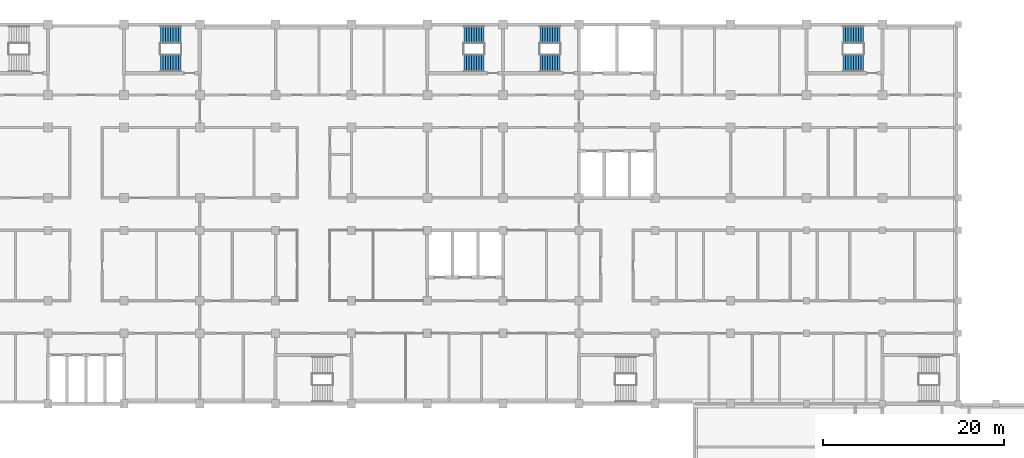
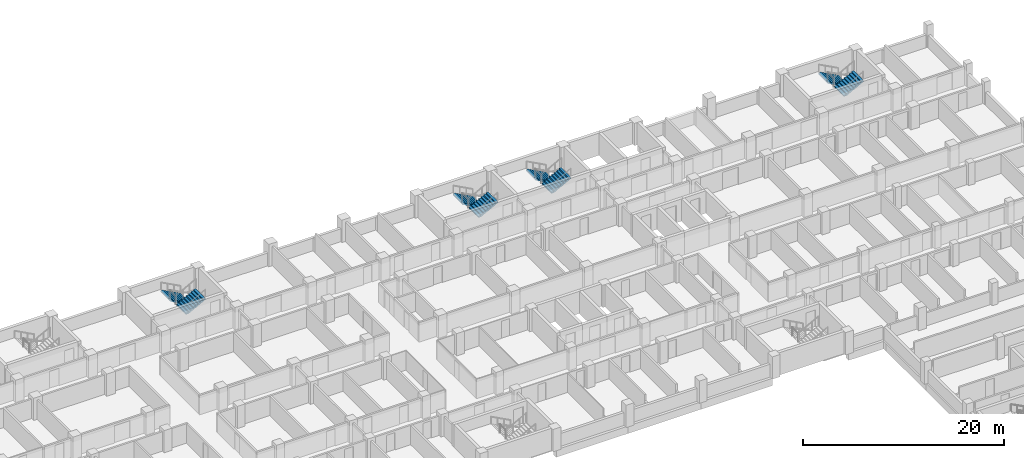
# One storey, part 67 of 89: 8 stair flights, 4 elements without a shape of their own.
"""IFC4 building model written with IfcOpenShell, lengths in metres."""

from ifc_helpers import new_model, si_unit, direction, frame, origin, place, context, subcontext, project, spatial, polyline, outline, extrude, material, type_object, element, aggregate, save


model = new_model("IFC4")

# Units and contexts
model_context = context("Model", 3, precision=1e-05, world=origin(), true_north=direction((0.0, 1.0)))
body_context = subcontext(model_context, "Body", "Model", "MODEL_VIEW")
ifc_project = project(units=[si_unit("LENGTHUNIT", "METRE"), si_unit("AREAUNIT", "SQUARE_METRE"), si_unit("VOLUMEUNIT", "CUBIC_METRE"), si_unit("PLANEANGLEUNIT", "RADIAN"), si_unit("MASSUNIT", "GRAM", prefix="KILO")], contexts=[model_context])

# Site, building, storey
site_placement = place(None, origin())
site = spatial("IfcSite", under=ifc_project, at=site_placement, CompositionType="ELEMENT")
building_placement = place(site_placement, origin())
building = spatial("IfcBuilding", under=site, at=building_placement, Name="Bougainvillea Quay General Hospital", CompositionType="ELEMENT")
storey_placement = place(building_placement, frame((0.0, 0.0, 9.89990234375)))
storey = spatial("IfcBuildingStorey", under=building, at=storey_placement, Name="L01M", CompositionType="ELEMENT", Elevation=9.89990234375)

# Stair, stair flights
ifc_material = material(Name="Concrete C35", Category="concrete")
stair_type = type_object("IfcStairType", Name="Stair half-turn 1925 wide", PredefinedType="HALF_TURN_STAIR", material=ifc_material)
stair_1_placement = place(storey_placement, origin())
stair_1 = element("IfcStair", 1, at=stair_1_placement, inside=storey, type_object=stair_type, Name="L01M stair ST-D3", PredefinedType="HALF_TURN_STAIR")
stair_flight_type = type_object("IfcStairFlightType", Name="Stair flight 1925", PredefinedType="STRAIGHT", material=ifc_material)
stair_flight_1_placement = place(storey_placement, frame((149.10009765625, 158.46240234375, 0.0), z_axis=(0.0, 0.0, 1.0), x_axis=(-1.0, 0.0, 0.0)))
stair_flight_1 = element("IfcStairFlight", 2, at=stair_flight_1_placement, type_object=stair_flight_type, Name="ST-D3 flight 1", NumberOfRisers=9, NumberOfTreads=8, PredefinedType="STRAIGHT", RiserHeight=0.15, TreadLength=0.28, context=body_context, shape_type="SweptSolid", body=[
    extrude(outline(polyline([(-0.0029296875, 0.0), (-0.0029296875, 0.003662109375), (-0.0029296875, 0.00732421875), (-0.0029296875, 0.010986328125), (-0.0029296875, 0.0146484375), (-0.0029296875, 0.018310546875), (-0.0029296875, 0.02197265625), (-0.0029296875, 0.025634765625), (-0.0029296875, 0.029296875), (-0.0029296875, 0.032958984375), (-0.0029296875, 0.03662109375), (-0.0029296875, 0.040283203125), (-0.0029296875, 0.0439453125), (-0.0029296875, 0.047607421875), (-0.0029296875, 0.05126953125), (-0.0029296875, 0.054931640625), (-0.0029296875, 0.05859375), (-0.0029296875, 0.062255859375), (-0.0029296875, 0.06591796875), (-0.0029296875, 0.069580078125), (-0.0029296875, 0.0732421875), (-0.0029296875, 0.076904296875), (-0.0029296875, 0.08056640625), (-0.0029296875, 0.084228515625), (-0.0029296875, 0.087890625), (-0.0029296875, 0.091552734375), (-0.0029296875, 0.09521484375), (-0.0029296875, 0.098876953125), (-0.0029296875, 0.1025390625), (-0.0029296875, 0.106201171875), (-0.0029296875, 0.10986328125), (-0.0029296875, 0.113525390625), (-0.0029296875, 0.1171875), (-0.0029296875, 0.120849609375), (-0.0029296875, 0.12451171875), (-0.0029296875, 0.1279296875), (-0.0029296875, 0.131591796875), (-0.0029296875, 0.13525390625), (-0.0029296875, 0.138916015625), (-0.0029296875, 0.142578125), (-0.0029296875, 0.146240234375), (-0.0029296875, 0.14990234375), (0.280029296875, 0.14990234375), (0.280029296875, 0.300048828125), (0.56005859375, 0.300048828125), (0.56005859375, 0.449951171875), (0.840087890625, 0.449951171875), (0.840087890625, 0.60009765625), (1.1201171875, 0.60009765625), (1.1201171875, 0.75), (1.39990234375, 0.75), (1.39990234375, 0.89990234375), (1.679931640625, 0.89990234375), (1.679931640625, 1.050048828125), (1.9599609375, 1.050048828125), (1.9599609375, 1.199951171875), (2.242919921875, 1.199951171875), (2.242919921875, 1.19580078125), (2.242919921875, 1.191650390625), (2.242919921875, 1.1875), (2.242919921875, 1.183349609375), (2.242919921875, 1.17919921875), (2.242919921875, 1.175048828125), (2.242919921875, 1.1708984375), (2.242919921875, 1.166748046875), (2.242919921875, 1.16259765625), (2.242919921875, 1.158447265625), (2.242919921875, 1.154296875), (2.242919921875, 1.150146484375), (2.242919921875, 1.14599609375), (2.242919921875, 1.141845703125), (2.242919921875, 1.1376953125), (2.242919921875, 1.133544921875), (2.242919921875, 1.12939453125), (2.242919921875, 1.125244140625), (2.242919921875, 1.12109375), (2.242919921875, 1.116943359375), (2.242919921875, 1.11279296875), (2.242919921875, 1.108642578125), (2.242919921875, 1.1044921875), (2.242919921875, 1.100341796875), (2.242919921875, 1.09619140625), (2.242919921875, 1.092041015625), (2.242919921875, 1.087890625), (2.242919921875, 1.083984375), (2.242919921875, 1.079833984375), (2.242919921875, 1.07568359375), (2.242919921875, 1.071533203125), (2.242919921875, 1.0673828125), (2.242919921875, 1.063232421875), (2.242919921875, 1.05908203125), (2.242919921875, 1.054931640625), (2.242919921875, 1.05078125), (2.242919921875, 1.046630859375), (2.242919921875, 1.04248046875), (2.242919921875, 1.038330078125), (2.242919921875, 1.0341796875), (2.242919921875, 1.030029296875), (0.3173828125, 0.0), (-0.0029296875, 0.0)])), frame((0.0, 0.96240234375, 0.0), z_axis=(0.0, -1.0, 0.0), x_axis=(1.0, 0.0, 0.0)), (0.0, 0.0, 1.0), 1.925048828125),
])
stair_flight_2_placement = place(storey_placement, frame((146.860107421875, 155.33740234375, 1.35009765625), z_axis=(0.0, 0.0, 1.0), x_axis=(1.0, 0.0, 0.0)))
stair_flight_2 = element("IfcStairFlight", 3, at=stair_flight_2_placement, type_object=stair_flight_type, Name="ST-D3 flight 2", NumberOfRisers=9, NumberOfTreads=8, PredefinedType="STRAIGHT", RiserHeight=0.15, TreadLength=0.28, context=body_context, shape_type="SweptSolid", body=[
    extrude(outline(polyline([(-0.0029296875, 0.0), (-0.0029296875, 0.003662109375), (-0.0029296875, 0.00732421875), (-0.0029296875, 0.010986328125), (-0.0029296875, 0.0146484375), (-0.0029296875, 0.018310546875), (-0.0029296875, 0.02197265625), (-0.0029296875, 0.025634765625), (-0.0029296875, 0.029296875), (-0.0029296875, 0.032958984375), (-0.0029296875, 0.03662109375), (-0.0029296875, 0.040283203125), (-0.0029296875, 0.0439453125), (-0.0029296875, 0.047607421875), (-0.0029296875, 0.05126953125), (-0.0029296875, 0.054931640625), (-0.0029296875, 0.05859375), (-0.0029296875, 0.062255859375), (-0.0029296875, 0.06591796875), (-0.0029296875, 0.069580078125), (-0.0029296875, 0.0732421875), (-0.0029296875, 0.076904296875), (-0.0029296875, 0.08056640625), (-0.0029296875, 0.084228515625), (-0.0029296875, 0.087890625), (-0.0029296875, 0.091552734375), (-0.0029296875, 0.09521484375), (-0.0029296875, 0.098876953125), (-0.0029296875, 0.1025390625), (-0.0029296875, 0.106201171875), (-0.0029296875, 0.10986328125), (-0.0029296875, 0.113525390625), (-0.0029296875, 0.1171875), (-0.0029296875, 0.120849609375), (-0.0029296875, 0.12451171875), (-0.0029296875, 0.1279296875), (-0.0029296875, 0.131591796875), (-0.0029296875, 0.13525390625), (-0.0029296875, 0.138916015625), (-0.0029296875, 0.142578125), (-0.0029296875, 0.146240234375), (-0.0029296875, 0.14990234375), (0.280029296875, 0.14990234375), (0.280029296875, 0.300048828125), (0.56005859375, 0.300048828125), (0.56005859375, 0.449951171875), (0.840087890625, 0.449951171875), (0.840087890625, 0.60009765625), (1.1201171875, 0.60009765625), (1.1201171875, 0.75), (1.39990234375, 0.75), (1.39990234375, 0.89990234375), (1.679931640625, 0.89990234375), (1.679931640625, 1.050048828125), (1.9599609375, 1.050048828125), (1.9599609375, 1.199951171875), (2.242919921875, 1.199951171875), (2.242919921875, 1.19580078125), (2.242919921875, 1.191650390625), (2.242919921875, 1.1875), (2.242919921875, 1.183349609375), (2.242919921875, 1.17919921875), (2.242919921875, 1.175048828125), (2.242919921875, 1.1708984375), (2.242919921875, 1.166748046875), (2.242919921875, 1.16259765625), (2.242919921875, 1.158447265625), (2.242919921875, 1.154296875), (2.242919921875, 1.150146484375), (2.242919921875, 1.14599609375), (2.242919921875, 1.141845703125), (2.242919921875, 1.1376953125), (2.242919921875, 1.133544921875), (2.242919921875, 1.12939453125), (2.242919921875, 1.125244140625), (2.242919921875, 1.12109375), (2.242919921875, 1.116943359375), (2.242919921875, 1.11279296875), (2.242919921875, 1.108642578125), (2.242919921875, 1.1044921875), (2.242919921875, 1.100341796875), (2.242919921875, 1.09619140625), (2.242919921875, 1.092041015625), (2.242919921875, 1.087890625), (2.242919921875, 1.083984375), (2.242919921875, 1.079833984375), (2.242919921875, 1.07568359375), (2.242919921875, 1.071533203125), (2.242919921875, 1.0673828125), (2.242919921875, 1.063232421875), (2.242919921875, 1.05908203125), (2.242919921875, 1.054931640625), (2.242919921875, 1.05078125), (2.242919921875, 1.046630859375), (2.242919921875, 1.04248046875), (2.242919921875, 1.038330078125), (2.242919921875, 1.0341796875), (2.242919921875, 1.030029296875), (0.3173828125, 0.0), (-0.0029296875, 0.0)])), frame((0.0, 0.96240234375, 0.0), z_axis=(0.0, -1.0, 0.0), x_axis=(1.0, 0.0, 0.0)), (0.0, 0.0, 1.0), 1.925048828125),
])
aggregate(stair_1, [stair_flight_1, stair_flight_2])

stair_2_placement = place(storey_placement, origin())
stair_2 = element("IfcStair", 4, at=stair_2_placement, inside=storey, type_object=stair_type, Name="L01M stair ST-A3", PredefinedType="HALF_TURN_STAIR")
stair_flight_3_placement = place(storey_placement, frame((140.699951171875, 158.46240234375, 0.0), z_axis=(0.0, 0.0, 1.0), x_axis=(-1.0, 0.0, 0.0)))
stair_flight_3 = element("IfcStairFlight", 5, at=stair_flight_3_placement, type_object=stair_flight_type, Name="ST-A3 flight 1", NumberOfRisers=9, NumberOfTreads=8, PredefinedType="STRAIGHT", RiserHeight=0.15, TreadLength=0.28, context=body_context, shape_type="SweptSolid", body=[
    extrude(outline(polyline([(-0.0029296875, 0.0), (-0.0029296875, 0.003662109375), (-0.0029296875, 0.00732421875), (-0.0029296875, 0.010986328125), (-0.0029296875, 0.0146484375), (-0.0029296875, 0.018310546875), (-0.0029296875, 0.02197265625), (-0.0029296875, 0.025634765625), (-0.0029296875, 0.029296875), (-0.0029296875, 0.032958984375), (-0.0029296875, 0.03662109375), (-0.0029296875, 0.040283203125), (-0.0029296875, 0.0439453125), (-0.0029296875, 0.047607421875), (-0.0029296875, 0.05126953125), (-0.0029296875, 0.054931640625), (-0.0029296875, 0.05859375), (-0.0029296875, 0.062255859375), (-0.0029296875, 0.06591796875), (-0.0029296875, 0.069580078125), (-0.0029296875, 0.0732421875), (-0.0029296875, 0.076904296875), (-0.0029296875, 0.08056640625), (-0.0029296875, 0.084228515625), (-0.0029296875, 0.087890625), (-0.0029296875, 0.091552734375), (-0.0029296875, 0.09521484375), (-0.0029296875, 0.098876953125), (-0.0029296875, 0.1025390625), (-0.0029296875, 0.106201171875), (-0.0029296875, 0.10986328125), (-0.0029296875, 0.113525390625), (-0.0029296875, 0.1171875), (-0.0029296875, 0.120849609375), (-0.0029296875, 0.12451171875), (-0.0029296875, 0.1279296875), (-0.0029296875, 0.131591796875), (-0.0029296875, 0.13525390625), (-0.0029296875, 0.138916015625), (-0.0029296875, 0.142578125), (-0.0029296875, 0.146240234375), (-0.0029296875, 0.14990234375), (0.280029296875, 0.14990234375), (0.280029296875, 0.300048828125), (0.56005859375, 0.300048828125), (0.56005859375, 0.449951171875), (0.840087890625, 0.449951171875), (0.840087890625, 0.60009765625), (1.1201171875, 0.60009765625), (1.1201171875, 0.75), (1.39990234375, 0.75), (1.39990234375, 0.89990234375), (1.679931640625, 0.89990234375), (1.679931640625, 1.050048828125), (1.9599609375, 1.050048828125), (1.9599609375, 1.199951171875), (2.242919921875, 1.199951171875), (2.242919921875, 1.19580078125), (2.242919921875, 1.191650390625), (2.242919921875, 1.1875), (2.242919921875, 1.183349609375), (2.242919921875, 1.17919921875), (2.242919921875, 1.175048828125), (2.242919921875, 1.1708984375), (2.242919921875, 1.166748046875), (2.242919921875, 1.16259765625), (2.242919921875, 1.158447265625), (2.242919921875, 1.154296875), (2.242919921875, 1.150146484375), (2.242919921875, 1.14599609375), (2.242919921875, 1.141845703125), (2.242919921875, 1.1376953125), (2.242919921875, 1.133544921875), (2.242919921875, 1.12939453125), (2.242919921875, 1.125244140625), (2.242919921875, 1.12109375), (2.242919921875, 1.116943359375), (2.242919921875, 1.11279296875), (2.242919921875, 1.108642578125), (2.242919921875, 1.1044921875), (2.242919921875, 1.100341796875), (2.242919921875, 1.09619140625), (2.242919921875, 1.092041015625), (2.242919921875, 1.087890625), (2.242919921875, 1.083984375), (2.242919921875, 1.079833984375), (2.242919921875, 1.07568359375), (2.242919921875, 1.071533203125), (2.242919921875, 1.0673828125), (2.242919921875, 1.063232421875), (2.242919921875, 1.05908203125), (2.242919921875, 1.054931640625), (2.242919921875, 1.05078125), (2.242919921875, 1.046630859375), (2.242919921875, 1.04248046875), (2.242919921875, 1.038330078125), (2.242919921875, 1.0341796875), (2.242919921875, 1.030029296875), (0.3173828125, 0.0), (-0.0029296875, 0.0)])), frame((0.0, 0.96240234375, 0.0), z_axis=(0.0, -1.0, 0.0), x_axis=(1.0, 0.0, 0.0)), (0.0, 0.0, 1.0), 1.925048828125),
])
stair_flight_4_placement = place(storey_placement, frame((138.4599609375, 155.33740234375, 1.35009765625), z_axis=(0.0, 0.0, 1.0), x_axis=(1.0, 0.0, 0.0)))
stair_flight_4 = element("IfcStairFlight", 6, at=stair_flight_4_placement, type_object=stair_flight_type, Name="ST-A3 flight 2", NumberOfRisers=9, NumberOfTreads=8, PredefinedType="STRAIGHT", RiserHeight=0.15, TreadLength=0.28, context=body_context, shape_type="SweptSolid", body=[
    extrude(outline(polyline([(-0.0029296875, 0.0), (-0.0029296875, 0.003662109375), (-0.0029296875, 0.00732421875), (-0.0029296875, 0.010986328125), (-0.0029296875, 0.0146484375), (-0.0029296875, 0.018310546875), (-0.0029296875, 0.02197265625), (-0.0029296875, 0.025634765625), (-0.0029296875, 0.029296875), (-0.0029296875, 0.032958984375), (-0.0029296875, 0.03662109375), (-0.0029296875, 0.040283203125), (-0.0029296875, 0.0439453125), (-0.0029296875, 0.047607421875), (-0.0029296875, 0.05126953125), (-0.0029296875, 0.054931640625), (-0.0029296875, 0.05859375), (-0.0029296875, 0.062255859375), (-0.0029296875, 0.06591796875), (-0.0029296875, 0.069580078125), (-0.0029296875, 0.0732421875), (-0.0029296875, 0.076904296875), (-0.0029296875, 0.08056640625), (-0.0029296875, 0.084228515625), (-0.0029296875, 0.087890625), (-0.0029296875, 0.091552734375), (-0.0029296875, 0.09521484375), (-0.0029296875, 0.098876953125), (-0.0029296875, 0.1025390625), (-0.0029296875, 0.106201171875), (-0.0029296875, 0.10986328125), (-0.0029296875, 0.113525390625), (-0.0029296875, 0.1171875), (-0.0029296875, 0.120849609375), (-0.0029296875, 0.12451171875), (-0.0029296875, 0.1279296875), (-0.0029296875, 0.131591796875), (-0.0029296875, 0.13525390625), (-0.0029296875, 0.138916015625), (-0.0029296875, 0.142578125), (-0.0029296875, 0.146240234375), (-0.0029296875, 0.14990234375), (0.280029296875, 0.14990234375), (0.280029296875, 0.300048828125), (0.56005859375, 0.300048828125), (0.56005859375, 0.449951171875), (0.840087890625, 0.449951171875), (0.840087890625, 0.60009765625), (1.1201171875, 0.60009765625), (1.1201171875, 0.75), (1.39990234375, 0.75), (1.39990234375, 0.89990234375), (1.679931640625, 0.89990234375), (1.679931640625, 1.050048828125), (1.9599609375, 1.050048828125), (1.9599609375, 1.199951171875), (2.242919921875, 1.199951171875), (2.242919921875, 1.19580078125), (2.242919921875, 1.191650390625), (2.242919921875, 1.1875), (2.242919921875, 1.183349609375), (2.242919921875, 1.17919921875), (2.242919921875, 1.175048828125), (2.242919921875, 1.1708984375), (2.242919921875, 1.166748046875), (2.242919921875, 1.16259765625), (2.242919921875, 1.158447265625), (2.242919921875, 1.154296875), (2.242919921875, 1.150146484375), (2.242919921875, 1.14599609375), (2.242919921875, 1.141845703125), (2.242919921875, 1.1376953125), (2.242919921875, 1.133544921875), (2.242919921875, 1.12939453125), (2.242919921875, 1.125244140625), (2.242919921875, 1.12109375), (2.242919921875, 1.116943359375), (2.242919921875, 1.11279296875), (2.242919921875, 1.108642578125), (2.242919921875, 1.1044921875), (2.242919921875, 1.100341796875), (2.242919921875, 1.09619140625), (2.242919921875, 1.092041015625), (2.242919921875, 1.087890625), (2.242919921875, 1.083984375), (2.242919921875, 1.079833984375), (2.242919921875, 1.07568359375), (2.242919921875, 1.071533203125), (2.242919921875, 1.0673828125), (2.242919921875, 1.063232421875), (2.242919921875, 1.05908203125), (2.242919921875, 1.054931640625), (2.242919921875, 1.05078125), (2.242919921875, 1.046630859375), (2.242919921875, 1.04248046875), (2.242919921875, 1.038330078125), (2.242919921875, 1.0341796875), (2.242919921875, 1.030029296875), (0.3173828125, 0.0), (-0.0029296875, 0.0)])), frame((0.0, 0.96240234375, 0.0), z_axis=(0.0, -1.0, 0.0), x_axis=(1.0, 0.0, 0.0)), (0.0, 0.0, 1.0), 1.925048828125),
])
aggregate(stair_2, [stair_flight_3, stair_flight_4])

stair_3_placement = place(storey_placement, origin())
stair_3 = element("IfcStair", 7, at=stair_3_placement, inside=storey, type_object=stair_type, Name="L01M stair ST-A4", PredefinedType="HALF_TURN_STAIR")
stair_flight_5_placement = place(storey_placement, frame((182.699951171875, 158.46240234375, 0.0), z_axis=(0.0, 0.0, 1.0), x_axis=(-1.0, 0.0, 0.0)))
stair_flight_5 = element("IfcStairFlight", 8, at=stair_flight_5_placement, type_object=stair_flight_type, Name="ST-A4 flight 1", NumberOfRisers=9, NumberOfTreads=8, PredefinedType="STRAIGHT", RiserHeight=0.15, TreadLength=0.28, context=body_context, shape_type="SweptSolid", body=[
    extrude(outline(polyline([(-0.0029296875, 0.0), (-0.0029296875, 0.003662109375), (-0.0029296875, 0.00732421875), (-0.0029296875, 0.010986328125), (-0.0029296875, 0.0146484375), (-0.0029296875, 0.018310546875), (-0.0029296875, 0.02197265625), (-0.0029296875, 0.025634765625), (-0.0029296875, 0.029296875), (-0.0029296875, 0.032958984375), (-0.0029296875, 0.03662109375), (-0.0029296875, 0.040283203125), (-0.0029296875, 0.0439453125), (-0.0029296875, 0.047607421875), (-0.0029296875, 0.05126953125), (-0.0029296875, 0.054931640625), (-0.0029296875, 0.05859375), (-0.0029296875, 0.062255859375), (-0.0029296875, 0.06591796875), (-0.0029296875, 0.069580078125), (-0.0029296875, 0.0732421875), (-0.0029296875, 0.076904296875), (-0.0029296875, 0.08056640625), (-0.0029296875, 0.084228515625), (-0.0029296875, 0.087890625), (-0.0029296875, 0.091552734375), (-0.0029296875, 0.09521484375), (-0.0029296875, 0.098876953125), (-0.0029296875, 0.1025390625), (-0.0029296875, 0.106201171875), (-0.0029296875, 0.10986328125), (-0.0029296875, 0.113525390625), (-0.0029296875, 0.1171875), (-0.0029296875, 0.120849609375), (-0.0029296875, 0.12451171875), (-0.0029296875, 0.1279296875), (-0.0029296875, 0.131591796875), (-0.0029296875, 0.13525390625), (-0.0029296875, 0.138916015625), (-0.0029296875, 0.142578125), (-0.0029296875, 0.146240234375), (-0.0029296875, 0.14990234375), (0.280029296875, 0.14990234375), (0.280029296875, 0.300048828125), (0.56005859375, 0.300048828125), (0.56005859375, 0.449951171875), (0.840087890625, 0.449951171875), (0.840087890625, 0.60009765625), (1.1201171875, 0.60009765625), (1.1201171875, 0.75), (1.39990234375, 0.75), (1.39990234375, 0.89990234375), (1.679931640625, 0.89990234375), (1.679931640625, 1.050048828125), (1.9599609375, 1.050048828125), (1.9599609375, 1.199951171875), (2.242919921875, 1.199951171875), (2.242919921875, 1.19580078125), (2.242919921875, 1.191650390625), (2.242919921875, 1.1875), (2.242919921875, 1.183349609375), (2.242919921875, 1.17919921875), (2.242919921875, 1.175048828125), (2.242919921875, 1.1708984375), (2.242919921875, 1.166748046875), (2.242919921875, 1.16259765625), (2.242919921875, 1.158447265625), (2.242919921875, 1.154296875), (2.242919921875, 1.150146484375), (2.242919921875, 1.14599609375), (2.242919921875, 1.141845703125), (2.242919921875, 1.1376953125), (2.242919921875, 1.133544921875), (2.242919921875, 1.12939453125), (2.242919921875, 1.125244140625), (2.242919921875, 1.12109375), (2.242919921875, 1.116943359375), (2.242919921875, 1.11279296875), (2.242919921875, 1.108642578125), (2.242919921875, 1.1044921875), (2.242919921875, 1.100341796875), (2.242919921875, 1.09619140625), (2.242919921875, 1.092041015625), (2.242919921875, 1.087890625), (2.242919921875, 1.083984375), (2.242919921875, 1.079833984375), (2.242919921875, 1.07568359375), (2.242919921875, 1.071533203125), (2.242919921875, 1.0673828125), (2.242919921875, 1.063232421875), (2.242919921875, 1.05908203125), (2.242919921875, 1.054931640625), (2.242919921875, 1.05078125), (2.242919921875, 1.046630859375), (2.242919921875, 1.04248046875), (2.242919921875, 1.038330078125), (2.242919921875, 1.0341796875), (2.242919921875, 1.030029296875), (0.3173828125, 0.0), (-0.0029296875, 0.0)])), frame((0.0, 0.96240234375, 0.0), z_axis=(0.0, -1.0, 0.0), x_axis=(1.0, 0.0, 0.0)), (0.0, 0.0, 1.0), 1.925048828125),
])
stair_flight_6_placement = place(storey_placement, frame((180.4599609375, 155.33740234375, 1.35009765625), z_axis=(0.0, 0.0, 1.0), x_axis=(1.0, 0.0, 0.0)))
stair_flight_6 = element("IfcStairFlight", 9, at=stair_flight_6_placement, type_object=stair_flight_type, Name="ST-A4 flight 2", NumberOfRisers=9, NumberOfTreads=8, PredefinedType="STRAIGHT", RiserHeight=0.15, TreadLength=0.28, context=body_context, shape_type="SweptSolid", body=[
    extrude(outline(polyline([(-0.0029296875, 0.0), (-0.0029296875, 0.003662109375), (-0.0029296875, 0.00732421875), (-0.0029296875, 0.010986328125), (-0.0029296875, 0.0146484375), (-0.0029296875, 0.018310546875), (-0.0029296875, 0.02197265625), (-0.0029296875, 0.025634765625), (-0.0029296875, 0.029296875), (-0.0029296875, 0.032958984375), (-0.0029296875, 0.03662109375), (-0.0029296875, 0.040283203125), (-0.0029296875, 0.0439453125), (-0.0029296875, 0.047607421875), (-0.0029296875, 0.05126953125), (-0.0029296875, 0.054931640625), (-0.0029296875, 0.05859375), (-0.0029296875, 0.062255859375), (-0.0029296875, 0.06591796875), (-0.0029296875, 0.069580078125), (-0.0029296875, 0.0732421875), (-0.0029296875, 0.076904296875), (-0.0029296875, 0.08056640625), (-0.0029296875, 0.084228515625), (-0.0029296875, 0.087890625), (-0.0029296875, 0.091552734375), (-0.0029296875, 0.09521484375), (-0.0029296875, 0.098876953125), (-0.0029296875, 0.1025390625), (-0.0029296875, 0.106201171875), (-0.0029296875, 0.10986328125), (-0.0029296875, 0.113525390625), (-0.0029296875, 0.1171875), (-0.0029296875, 0.120849609375), (-0.0029296875, 0.12451171875), (-0.0029296875, 0.1279296875), (-0.0029296875, 0.131591796875), (-0.0029296875, 0.13525390625), (-0.0029296875, 0.138916015625), (-0.0029296875, 0.142578125), (-0.0029296875, 0.146240234375), (-0.0029296875, 0.14990234375), (0.280029296875, 0.14990234375), (0.280029296875, 0.300048828125), (0.56005859375, 0.300048828125), (0.56005859375, 0.449951171875), (0.840087890625, 0.449951171875), (0.840087890625, 0.60009765625), (1.1201171875, 0.60009765625), (1.1201171875, 0.75), (1.39990234375, 0.75), (1.39990234375, 0.89990234375), (1.679931640625, 0.89990234375), (1.679931640625, 1.050048828125), (1.9599609375, 1.050048828125), (1.9599609375, 1.199951171875), (2.242919921875, 1.199951171875), (2.242919921875, 1.19580078125), (2.242919921875, 1.191650390625), (2.242919921875, 1.1875), (2.242919921875, 1.183349609375), (2.242919921875, 1.17919921875), (2.242919921875, 1.175048828125), (2.242919921875, 1.1708984375), (2.242919921875, 1.166748046875), (2.242919921875, 1.16259765625), (2.242919921875, 1.158447265625), (2.242919921875, 1.154296875), (2.242919921875, 1.150146484375), (2.242919921875, 1.14599609375), (2.242919921875, 1.141845703125), (2.242919921875, 1.1376953125), (2.242919921875, 1.133544921875), (2.242919921875, 1.12939453125), (2.242919921875, 1.125244140625), (2.242919921875, 1.12109375), (2.242919921875, 1.116943359375), (2.242919921875, 1.11279296875), (2.242919921875, 1.108642578125), (2.242919921875, 1.1044921875), (2.242919921875, 1.100341796875), (2.242919921875, 1.09619140625), (2.242919921875, 1.092041015625), (2.242919921875, 1.087890625), (2.242919921875, 1.083984375), (2.242919921875, 1.079833984375), (2.242919921875, 1.07568359375), (2.242919921875, 1.071533203125), (2.242919921875, 1.0673828125), (2.242919921875, 1.063232421875), (2.242919921875, 1.05908203125), (2.242919921875, 1.054931640625), (2.242919921875, 1.05078125), (2.242919921875, 1.046630859375), (2.242919921875, 1.04248046875), (2.242919921875, 1.038330078125), (2.242919921875, 1.0341796875), (2.242919921875, 1.030029296875), (0.3173828125, 0.0), (-0.0029296875, 0.0)])), frame((0.0, 0.96240234375, 0.0), z_axis=(0.0, -1.0, 0.0), x_axis=(1.0, 0.0, 0.0)), (0.0, 0.0, 1.0), 1.925048828125),
])
aggregate(stair_3, [stair_flight_5, stair_flight_6])

stair_4_placement = place(storey_placement, origin())
stair_4 = element("IfcStair", 10, at=stair_4_placement, inside=storey, type_object=stair_type, Name="L01M stair ST-A5", PredefinedType="HALF_TURN_STAIR")
stair_flight_7_placement = place(storey_placement, frame((107.10009765625, 158.46240234375, 0.0), z_axis=(0.0, 0.0, 1.0), x_axis=(-1.0, 0.0, 0.0)))
stair_flight_7 = element("IfcStairFlight", 11, at=stair_flight_7_placement, type_object=stair_flight_type, Name="ST-A5 flight 1", NumberOfRisers=9, NumberOfTreads=8, PredefinedType="STRAIGHT", RiserHeight=0.15, TreadLength=0.28, context=body_context, shape_type="SweptSolid", body=[
    extrude(outline(polyline([(-0.0029296875, 0.0), (-0.0029296875, 0.003662109375), (-0.0029296875, 0.00732421875), (-0.0029296875, 0.010986328125), (-0.0029296875, 0.0146484375), (-0.0029296875, 0.018310546875), (-0.0029296875, 0.02197265625), (-0.0029296875, 0.025634765625), (-0.0029296875, 0.029296875), (-0.0029296875, 0.032958984375), (-0.0029296875, 0.03662109375), (-0.0029296875, 0.040283203125), (-0.0029296875, 0.0439453125), (-0.0029296875, 0.047607421875), (-0.0029296875, 0.05126953125), (-0.0029296875, 0.054931640625), (-0.0029296875, 0.05859375), (-0.0029296875, 0.062255859375), (-0.0029296875, 0.06591796875), (-0.0029296875, 0.069580078125), (-0.0029296875, 0.0732421875), (-0.0029296875, 0.076904296875), (-0.0029296875, 0.08056640625), (-0.0029296875, 0.084228515625), (-0.0029296875, 0.087890625), (-0.0029296875, 0.091552734375), (-0.0029296875, 0.09521484375), (-0.0029296875, 0.098876953125), (-0.0029296875, 0.1025390625), (-0.0029296875, 0.106201171875), (-0.0029296875, 0.10986328125), (-0.0029296875, 0.113525390625), (-0.0029296875, 0.1171875), (-0.0029296875, 0.120849609375), (-0.0029296875, 0.12451171875), (-0.0029296875, 0.1279296875), (-0.0029296875, 0.131591796875), (-0.0029296875, 0.13525390625), (-0.0029296875, 0.138916015625), (-0.0029296875, 0.142578125), (-0.0029296875, 0.146240234375), (-0.0029296875, 0.14990234375), (0.280029296875, 0.14990234375), (0.280029296875, 0.300048828125), (0.56005859375, 0.300048828125), (0.56005859375, 0.449951171875), (0.840087890625, 0.449951171875), (0.840087890625, 0.60009765625), (1.1201171875, 0.60009765625), (1.1201171875, 0.75), (1.39990234375, 0.75), (1.39990234375, 0.89990234375), (1.679931640625, 0.89990234375), (1.679931640625, 1.050048828125), (1.9599609375, 1.050048828125), (1.9599609375, 1.199951171875), (2.242919921875, 1.199951171875), (2.242919921875, 1.19580078125), (2.242919921875, 1.191650390625), (2.242919921875, 1.1875), (2.242919921875, 1.183349609375), (2.242919921875, 1.17919921875), (2.242919921875, 1.175048828125), (2.242919921875, 1.1708984375), (2.242919921875, 1.166748046875), (2.242919921875, 1.16259765625), (2.242919921875, 1.158447265625), (2.242919921875, 1.154296875), (2.242919921875, 1.150146484375), (2.242919921875, 1.14599609375), (2.242919921875, 1.141845703125), (2.242919921875, 1.1376953125), (2.242919921875, 1.133544921875), (2.242919921875, 1.12939453125), (2.242919921875, 1.125244140625), (2.242919921875, 1.12109375), (2.242919921875, 1.116943359375), (2.242919921875, 1.11279296875), (2.242919921875, 1.108642578125), (2.242919921875, 1.1044921875), (2.242919921875, 1.100341796875), (2.242919921875, 1.09619140625), (2.242919921875, 1.092041015625), (2.242919921875, 1.087890625), (2.242919921875, 1.083984375), (2.242919921875, 1.079833984375), (2.242919921875, 1.07568359375), (2.242919921875, 1.071533203125), (2.242919921875, 1.0673828125), (2.242919921875, 1.063232421875), (2.242919921875, 1.05908203125), (2.242919921875, 1.054931640625), (2.242919921875, 1.05078125), (2.242919921875, 1.046630859375), (2.242919921875, 1.04248046875), (2.242919921875, 1.038330078125), (2.242919921875, 1.0341796875), (2.242919921875, 1.030029296875), (0.3173828125, 0.0), (-0.0029296875, 0.0)])), frame((0.0, 0.96240234375, 0.0), z_axis=(0.0, -1.0, 0.0), x_axis=(1.0, 0.0, 0.0)), (0.0, 0.0, 1.0), 1.925048828125),
])
stair_flight_8_placement = place(storey_placement, frame((104.860107421875, 155.33740234375, 1.35009765625), z_axis=(0.0, 0.0, 1.0), x_axis=(1.0, 0.0, 0.0)))
stair_flight_8 = element("IfcStairFlight", 12, at=stair_flight_8_placement, type_object=stair_flight_type, Name="ST-A5 flight 2", NumberOfRisers=9, NumberOfTreads=8, PredefinedType="STRAIGHT", RiserHeight=0.15, TreadLength=0.28, context=body_context, shape_type="SweptSolid", body=[
    extrude(outline(polyline([(-0.0029296875, 0.0), (-0.0029296875, 0.003662109375), (-0.0029296875, 0.00732421875), (-0.0029296875, 0.010986328125), (-0.0029296875, 0.0146484375), (-0.0029296875, 0.018310546875), (-0.0029296875, 0.02197265625), (-0.0029296875, 0.025634765625), (-0.0029296875, 0.029296875), (-0.0029296875, 0.032958984375), (-0.0029296875, 0.03662109375), (-0.0029296875, 0.040283203125), (-0.0029296875, 0.0439453125), (-0.0029296875, 0.047607421875), (-0.0029296875, 0.05126953125), (-0.0029296875, 0.054931640625), (-0.0029296875, 0.05859375), (-0.0029296875, 0.062255859375), (-0.0029296875, 0.06591796875), (-0.0029296875, 0.069580078125), (-0.0029296875, 0.0732421875), (-0.0029296875, 0.076904296875), (-0.0029296875, 0.08056640625), (-0.0029296875, 0.084228515625), (-0.0029296875, 0.087890625), (-0.0029296875, 0.091552734375), (-0.0029296875, 0.09521484375), (-0.0029296875, 0.098876953125), (-0.0029296875, 0.1025390625), (-0.0029296875, 0.106201171875), (-0.0029296875, 0.10986328125), (-0.0029296875, 0.113525390625), (-0.0029296875, 0.1171875), (-0.0029296875, 0.120849609375), (-0.0029296875, 0.12451171875), (-0.0029296875, 0.1279296875), (-0.0029296875, 0.131591796875), (-0.0029296875, 0.13525390625), (-0.0029296875, 0.138916015625), (-0.0029296875, 0.142578125), (-0.0029296875, 0.146240234375), (-0.0029296875, 0.14990234375), (0.280029296875, 0.14990234375), (0.280029296875, 0.300048828125), (0.56005859375, 0.300048828125), (0.56005859375, 0.449951171875), (0.840087890625, 0.449951171875), (0.840087890625, 0.60009765625), (1.1201171875, 0.60009765625), (1.1201171875, 0.75), (1.39990234375, 0.75), (1.39990234375, 0.89990234375), (1.679931640625, 0.89990234375), (1.679931640625, 1.050048828125), (1.9599609375, 1.050048828125), (1.9599609375, 1.199951171875), (2.242919921875, 1.199951171875), (2.242919921875, 1.19580078125), (2.242919921875, 1.191650390625), (2.242919921875, 1.1875), (2.242919921875, 1.183349609375), (2.242919921875, 1.17919921875), (2.242919921875, 1.175048828125), (2.242919921875, 1.1708984375), (2.242919921875, 1.166748046875), (2.242919921875, 1.16259765625), (2.242919921875, 1.158447265625), (2.242919921875, 1.154296875), (2.242919921875, 1.150146484375), (2.242919921875, 1.14599609375), (2.242919921875, 1.141845703125), (2.242919921875, 1.1376953125), (2.242919921875, 1.133544921875), (2.242919921875, 1.12939453125), (2.242919921875, 1.125244140625), (2.242919921875, 1.12109375), (2.242919921875, 1.116943359375), (2.242919921875, 1.11279296875), (2.242919921875, 1.108642578125), (2.242919921875, 1.1044921875), (2.242919921875, 1.100341796875), (2.242919921875, 1.09619140625), (2.242919921875, 1.092041015625), (2.242919921875, 1.087890625), (2.242919921875, 1.083984375), (2.242919921875, 1.079833984375), (2.242919921875, 1.07568359375), (2.242919921875, 1.071533203125), (2.242919921875, 1.0673828125), (2.242919921875, 1.063232421875), (2.242919921875, 1.05908203125), (2.242919921875, 1.054931640625), (2.242919921875, 1.05078125), (2.242919921875, 1.046630859375), (2.242919921875, 1.04248046875), (2.242919921875, 1.038330078125), (2.242919921875, 1.0341796875), (2.242919921875, 1.030029296875), (0.3173828125, 0.0), (-0.0029296875, 0.0)])), frame((0.0, 0.96240234375, 0.0), z_axis=(0.0, -1.0, 0.0), x_axis=(1.0, 0.0, 0.0)), (0.0, 0.0, 1.0), 1.925048828125),
])
aggregate(stair_4, [stair_flight_7, stair_flight_8])

save(model, "model.ifc")
